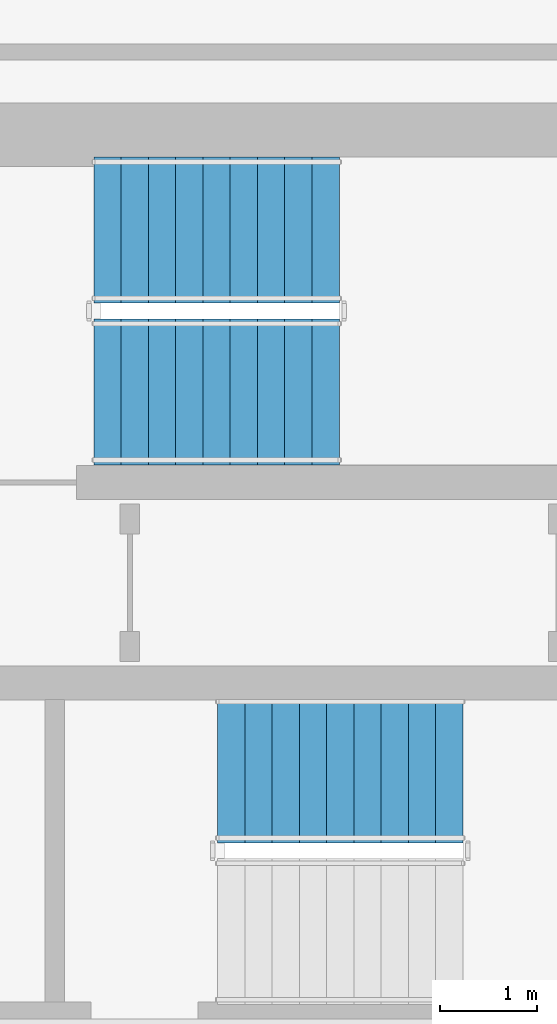
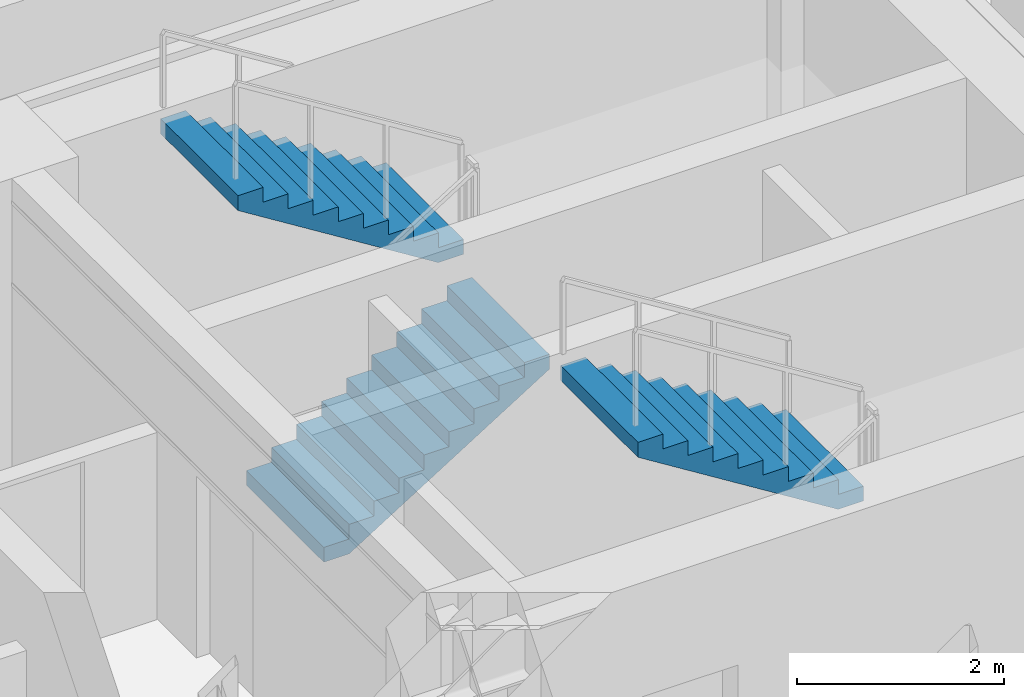
# One storey, part 12 of 15: 3 stair flights, 2 elements without a shape of their own.
"""IFC4 building model written with IfcOpenShell, lengths in metres."""

from ifc_helpers import new_model, si_unit, direction, frame, origin, place, context, subcontext, project, spatial, polyline, outline, extrude, material, layer, layer_set, type_object, element, aggregate, save


model = new_model("IFC4")

# Units and contexts
model_context = context("Model", 3, precision=1e-05, world=origin(), true_north=direction((0.0, 1.0)))
body_context = subcontext(model_context, "Body", "Model", "MODEL_VIEW")
ifc_project = project(units=[si_unit("LENGTHUNIT", "METRE"), si_unit("AREAUNIT", "SQUARE_METRE"), si_unit("VOLUMEUNIT", "CUBIC_METRE"), si_unit("PLANEANGLEUNIT", "RADIAN"), si_unit("MASSUNIT", "GRAM", prefix="KILO")], contexts=[model_context])

# Site, building, storey
site_placement = place(None, origin())
site = spatial("IfcSite", under=ifc_project, at=site_placement, CompositionType="ELEMENT")
building_placement = place(site_placement, origin())
building = spatial("IfcBuilding", under=site, at=building_placement, Name="Zarnavel Station Tower", CompositionType="ELEMENT")
storey_placement = place(building_placement, frame((0.0, 0.0, 115.300048828125)))
storey = spatial("IfcBuildingStorey", under=building, at=storey_placement, Name="L31", CompositionType="ELEMENT", Elevation=115.300048828125)

# Stair, stair flights
ifc_material_1 = material(Name="Concrete C45/55", Category="concrete")
stair_type = type_object("IfcStairType", Name="ST_CORE_150", PredefinedType="HALF_TURN_STAIR", material=ifc_material_1)
stair_1_placement = place(storey_placement, origin())
stair_1 = element("IfcStair", 1, at=stair_1_placement, inside=storey, type_object=stair_type, Name="L31 Core Exit Stair ST2", PredefinedType="HALF_TURN_STAIR")
ifc_material_2 = material(Name="Concrete C45/55", Category="concrete")
ifc_layer = layer(ifc_material_2, 0.179931640625)
ifc_layer_set = layer_set([ifc_layer], Name="ST_CORE_150_FLT")
stair_flight_type = type_object("IfcStairFlightType", Name="ST_CORE_150_FLT", PredefinedType="STRAIGHT", material=ifc_layer_set)
stair_flight_1_placement = place(storey_placement, frame((38.080078125, 34.409912109375, 0.0), z_axis=(0.0, 0.0, 1.0), x_axis=(1.0, 0.0, 0.0)))
stair_flight_1 = element("IfcStairFlight", 2, at=stair_flight_1_placement, type_object=stair_flight_type, Name="ST2 flight 1", NumberOfRisers=10, NumberOfTreads=9, PredefinedType="STRAIGHT", RiserHeight=0.175, TreadLength=0.28, context=body_context, shape_type="SweptSolid", body=[
    extrude(outline(polyline([(0.0, 0.0), (0.0, 0.175048828125), (0.280029296875, 0.175048828125), (0.280029296875, 0.35009765625), (0.56005859375, 0.35009765625), (0.56005859375, 0.52490234375), (0.840087890625, 0.52490234375), (0.840087890625, 0.699951171875), (1.1201171875, 0.699951171875), (1.1201171875, 0.875), (1.39990234375, 0.875), (1.39990234375, 1.050048828125), (1.679931640625, 1.050048828125), (1.679931640625, 1.22509765625), (1.9599609375, 1.22509765625), (1.9599609375, 1.39990234375), (2.239990234375, 1.39990234375), (2.239990234375, 1.574951171875), (2.52001953125, 1.574951171875), (2.52001953125, 1.75), (2.52001953125, 1.398193359375), (0.28271484375, 0.0), (0.0, 0.0)])), frame((0.0, 0.75, 0.0), z_axis=(0.0, -1.0, 0.0), x_axis=(1.0, 0.0, 0.0)), (0.0, 0.0, 1.0), 1.5),
])
stair_flight_2_placement = place(storey_placement, frame((40.60009765625, 36.070068359375, 1.75), z_axis=(0.0, 0.0, 1.0), x_axis=(-1.0, 0.0, 0.0)))
stair_flight_2 = element("IfcStairFlight", 3, at=stair_flight_2_placement, type_object=stair_flight_type, Name="ST2 flight 2", NumberOfRisers=10, NumberOfTreads=9, PredefinedType="STRAIGHT", RiserHeight=0.175, TreadLength=0.28, context=body_context, shape_type="SweptSolid", body=[
    extrude(outline(polyline([(0.0, 0.0), (0.0, 0.175048828125), (0.280029296875, 0.175048828125), (0.280029296875, 0.35009765625), (0.56005859375, 0.35009765625), (0.56005859375, 0.52490234375), (0.840087890625, 0.52490234375), (0.840087890625, 0.699951171875), (1.1201171875, 0.699951171875), (1.1201171875, 0.875), (1.39990234375, 0.875), (1.39990234375, 1.050048828125), (1.679931640625, 1.050048828125), (1.679931640625, 1.22509765625), (1.9599609375, 1.22509765625), (1.9599609375, 1.39990234375), (2.239990234375, 1.39990234375), (2.239990234375, 1.574951171875), (2.52001953125, 1.574951171875), (2.52001953125, 1.75), (2.52001953125, 1.398193359375), (0.28271484375, 0.0), (0.0, 0.0)])), frame((0.0, 0.75, 0.0), z_axis=(0.0, -1.0, 0.0), x_axis=(1.0, 0.0, 0.0)), (0.0, 0.0, 1.0), 1.5),
])
aggregate(stair_1, [stair_flight_1, stair_flight_2])

# Stair, stair flight
stair_2_placement = place(storey_placement, origin())
stair_2 = element("IfcStair", 4, at=stair_2_placement, inside=storey, type_object=stair_type, Name="L31 Core Exit Stair ST3", PredefinedType="HALF_TURN_STAIR")
stair_flight_3_placement = place(storey_placement, frame((41.8701171875, 30.530029296875, 1.75), z_axis=(0.0, 0.0, 1.0), x_axis=(-1.0, 0.0, 0.0)))
stair_flight_3 = element("IfcStairFlight", 5, at=stair_flight_3_placement, type_object=stair_flight_type, Name="ST3 flight 2", NumberOfRisers=10, NumberOfTreads=9, PredefinedType="STRAIGHT", RiserHeight=0.175, TreadLength=0.28, context=body_context, shape_type="SweptSolid", body=[
    extrude(outline(polyline([(0.0, 0.0), (0.0, 0.175048828125), (0.280029296875, 0.175048828125), (0.280029296875, 0.35009765625), (0.56005859375, 0.35009765625), (0.56005859375, 0.52490234375), (0.840087890625, 0.52490234375), (0.840087890625, 0.699951171875), (1.1201171875, 0.699951171875), (1.1201171875, 0.875), (1.39990234375, 0.875), (1.39990234375, 1.050048828125), (1.679931640625, 1.050048828125), (1.679931640625, 1.22509765625), (1.9599609375, 1.22509765625), (1.9599609375, 1.39990234375), (2.239990234375, 1.39990234375), (2.239990234375, 1.574951171875), (2.52001953125, 1.574951171875), (2.52001953125, 1.75), (2.52001953125, 1.398193359375), (0.28271484375, 0.0), (0.0, 0.0)])), frame((0.0, 0.75, 0.0), z_axis=(0.0, -1.0, 0.0), x_axis=(1.0, 0.0, 0.0)), (0.0, 0.0, 1.0), 1.5),
])
aggregate(stair_2, [stair_flight_3])

save(model, "model.ifc")
